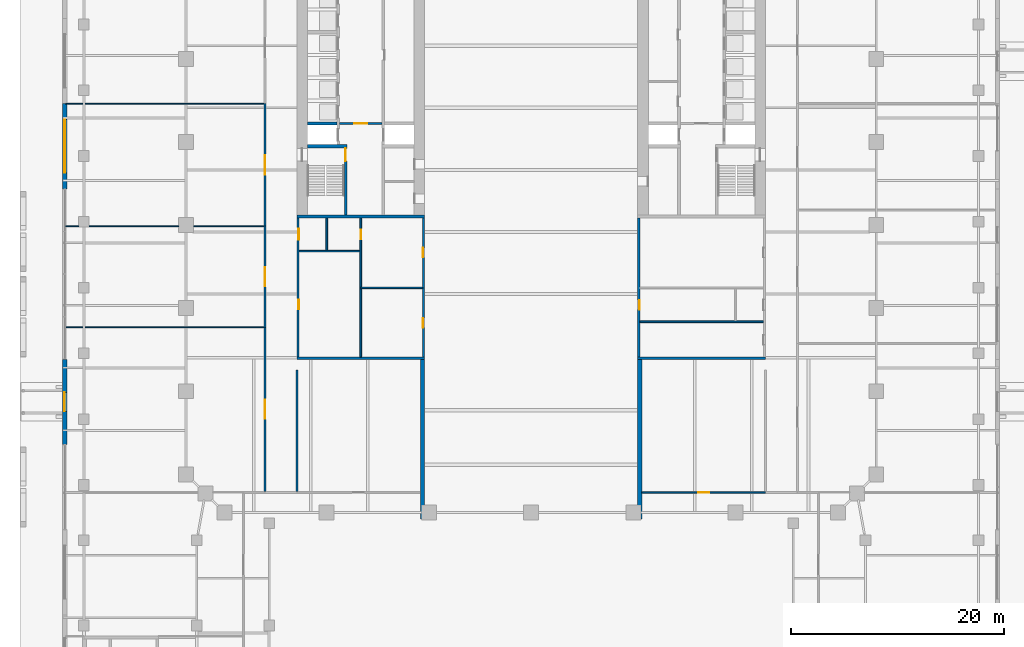
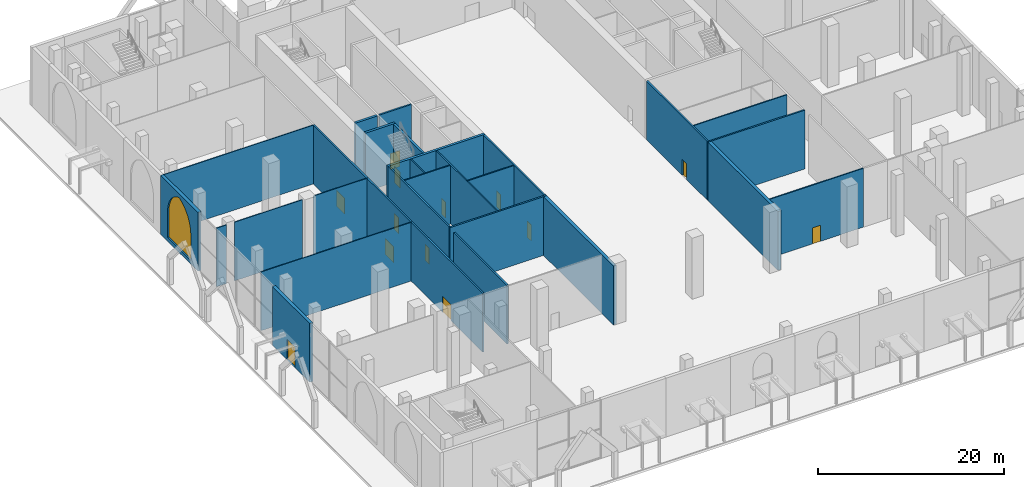
# One storey, part 28 of 38: 29 walls, 13 doors, 1 window, 14 openings.
"""IFC4 building model written with IfcOpenShell, lengths in metres."""

from ifc_helpers import new_model, si_unit, direction, frame, frame_2d, origin, place, context, subcontext, project, spatial, polyline, rectangle, outline, extrude, material, layer, layer_set, type_object, element, fill, save


model = new_model("IFC4")

# Units and contexts
model_context = context("Model", 3, precision=1e-05, world=origin(), true_north=direction((0.0, 1.0)))
body_context = subcontext(model_context, "Body", "Model", "MODEL_VIEW")
ifc_project = project(units=[si_unit("LENGTHUNIT", "METRE"), si_unit("AREAUNIT", "SQUARE_METRE"), si_unit("VOLUMEUNIT", "CUBIC_METRE"), si_unit("PLANEANGLEUNIT", "RADIAN"), si_unit("MASSUNIT", "GRAM", prefix="KILO")], contexts=[model_context])

# Site, building, storey
site_placement = place(None, origin())
site = spatial("IfcSite", under=ifc_project, at=site_placement, CompositionType="ELEMENT")
building_placement = place(site_placement, origin())
building = spatial("IfcBuilding", under=site, at=building_placement, Name="Ogive Exchange Tower", CompositionType="ELEMENT")
storey_placement = place(building_placement, origin())
storey = spatial("IfcBuildingStorey", under=building, at=storey_placement, Name="L00", CompositionType="ELEMENT", Elevation=0.0)

# Walls
ifc_material_1 = material(Name="Concrete C70/85", Category="concrete")
ifc_layer_1 = layer(ifc_material_1, 0.39990234375)
ifc_layer_set_1 = layer_set([ifc_layer_1], Name="Concrete C70/85 spine wall 400")
wall_type_1 = type_object("IfcWallType", Name="Concrete C70/85 spine wall 400", PredefinedType="SHEAR", material=ifc_layer_set_1)
for number, where, z_axis, x_axis, name in (
    (1, (-10.199951171875, -31.0, 0.0), (0.0, 0.0, 1.0), (0.0, 1.0, 0.0), "Spine wall SW"),
    (2, (10.199951171875, -31.0, 0.0), (0.0, 0.0, 1.0), (0.0, 1.0, 0.0), "Spine wall SE"),
):
    element("IfcWall", number, at=place(storey_placement, frame(where, z_axis=z_axis, x_axis=x_axis)), inside=storey, type_object=wall_type_1, Name=name, PredefinedType="SHEAR", context=body_context, shape_type="SweptSolid", body=[
        extrude(rectangle(XDim=15.0, YDim=0.39990234375, at=frame_2d((7.5, 0.0))), origin(), (0.0, 0.0, 1.0), 7.699951171875),
    ])

# Wall, opening, door
ifc_material_2 = material(Name="Gypsum board partition")
ifc_layer_2 = layer(ifc_material_2, 0.14990234375)
ifc_layer_set_2 = layer_set([ifc_layer_2], Name="Core room partition 150 gypsum")
wall_type_2 = type_object("IfcWallType", Name="Core room partition 150 gypsum", PredefinedType="PARTITIONING", material=ifc_layer_set_2)
wall_1_placement = place(storey_placement, frame((-16.0, -15.800048828125, 0.0), z_axis=(0.0, 0.0, 1.0), x_axis=(0.0, 1.0, 0.0)))
wall_1 = element("IfcWall", 3, at=wall_1_placement, inside=storey, type_object=wall_type_2, Name="W annex S column wall", PredefinedType="PARTITIONING", context=body_context, shape_type="SweptSolid", body=[
    extrude(rectangle(XDim=13.050048828125, YDim=0.14990234375, at=frame_2d((6.52490234375, 0.0))), origin(), (0.0, 0.0, 1.0), 7.699951171875),
])
opening_1_placement = place(wall_1_placement, frame((11.08740234375, 0.0, 0.0)))
opening_1 = element("IfcOpeningElement", 4, at=opening_1_placement, cuts=wall_1, Name="Opening L00-C20", PredefinedType="OPENING", context=body_context, shape_type="SweptSolid", body=[
    extrude(rectangle(XDim=0.89990234375, YDim=2.10009765625, at=frame_2d((0.449951171875, 1.050048828125))), frame((0.0, 0.0849609375, 0.0), z_axis=(0.0, -1.0, 0.0), x_axis=(1.0, 0.0, 0.0)), (0.0, 0.0, 1.0), 0.169921875),
])
ifc_material_3 = material(Name="Steel fire door", Category="steel")
door_type_1 = type_object("IfcDoorType", Name="Riser door FD60 900 x 2100", OperationType="NOTDEFINED", PredefinedType="DOOR", material=ifc_material_3)
door_1_placement = place(opening_1_placement, frame((0.89990234375, 0.0, 0.0), z_axis=(0.0, 0.0, 1.0), x_axis=(-1.0, 0.0, 0.0)))
door_1 = element("IfcDoor", 5, at=door_1_placement, inside=storey, type_object=door_type_1, Name="Riser door", ObjectType="CD2", OperationType="SINGLE_SWING_RIGHT", OverallHeight=2.10009765625, OverallWidth=0.89990234375, PredefinedType="DOOR", context=body_context, shape_type="SweptSolid", body=[
    extrude(rectangle(XDim=0.89990234375, YDim=2.10009765625, at=frame_2d((0.449951171875, 1.050048828125))), frame((0.0, 0.02490234375, 0.0), z_axis=(0.0, -1.0, 0.0), x_axis=(1.0, 0.0, 0.0)), (0.0, 0.0, 1.0), 0.050048828125),
])
fill(opening_1, door_1)

# Walls
wall_2_placement = place(storey_placement, frame((-16.0, -9.300048828125, 0.0), z_axis=(0.0, 0.0, 1.0), x_axis=(1.0, 0.0, 0.0)))
element("IfcWall", 6, at=wall_2_placement, inside=storey, type_object=wall_type_2, Name="W annex S cross wall", PredefinedType="PARTITIONING", context=body_context, shape_type="SweptSolid", body=[
    extrude(rectangle(XDim=5.800048828125, YDim=0.14990234375, at=frame_2d((2.89990234375, 0.0))), origin(), (0.0, 0.0, 1.0), 7.699951171875),
])
wall_3_placement = place(storey_placement, frame((-21.800048828125, -5.85009765625, 0.0), z_axis=(0.0, 0.0, 1.0), x_axis=(1.0, 0.0, 0.0)))
element("IfcWall", 7, at=wall_3_placement, inside=storey, type_object=wall_type_2, Name="W annex S wc strip wall 00", PredefinedType="PARTITIONING", context=body_context, shape_type="SweptSolid", body=[
    extrude(rectangle(XDim=5.72509765625, YDim=0.14990234375, at=frame_2d((2.862548828125, 0.0))), origin(), (0.0, 0.0, 1.0), 7.699951171875),
])
wall_4_placement = place(storey_placement, frame((-19.199951171875, -5.77490234375, 0.0), z_axis=(0.0, 0.0, 1.0), x_axis=(0.0, 1.0, 0.0)))
element("IfcWall", 8, at=wall_4_placement, inside=storey, type_object=wall_type_2, Name="W annex S wc partition 00", PredefinedType="PARTITIONING", context=body_context, shape_type="SweptSolid", body=[
    extrude(rectangle(XDim=3.02490234375, YDim=0.14990234375, at=frame_2d((1.512451171875, 0.0))), origin(), (0.0, 0.0, 1.0), 7.699951171875),
])
wall_5_placement = place(storey_placement, frame((10.199951171875, -12.47509765625, 0.0), z_axis=(0.0, 0.0, 1.0), x_axis=(1.0, 0.0, 0.0)))
element("IfcWall", 9, at=wall_5_placement, inside=storey, type_object=wall_type_2, Name="E annex S wc strip wall 00", PredefinedType="PARTITIONING", context=body_context, shape_type="SweptSolid", body=[
    extrude(rectangle(XDim=11.60009765625, YDim=0.14990234375, at=frame_2d((5.800048828125, 0.0))), origin(), (0.0, 0.0, 1.0), 7.699951171875),
])

# Wall, opening, door
ifc_material_4 = material(Name="Fire partition EI 60 150")
ifc_layer_3 = layer(ifc_material_4, 0.14990234375)
ifc_layer_set_3 = layer_set([ifc_layer_3], Name="Fire partition EI 60 150")
wall_type_3 = type_object("IfcWallType", Name="Fire partition EI 60 150", PredefinedType="PARTITIONING", material=ifc_layer_set_3)
wall_6_placement = place(storey_placement, frame((10.39990234375, -28.5, 0.0), z_axis=(0.0, 0.0, 1.0), x_axis=(1.0, 0.0, 0.0)))
wall_6 = element("IfcWall", 10, at=wall_6_placement, inside=storey, type_object=wall_type_3, Name="L00-PWL-010", PredefinedType="PARTITIONING", context=body_context, shape_type="SweptSolid", body=[
    extrude(rectangle(XDim=11.60009765625, YDim=0.14990234375, at=frame_2d((5.800048828125, 0.0))), origin(), (0.0, 0.0, 1.0), 7.699951171875),
])
opening_2_placement = place(wall_6_placement, frame((5.300048828125, 0.0, 0.0)))
opening_2 = element("IfcOpeningElement", 11, at=opening_2_placement, cuts=wall_6, Name="Opening L00-I18", PredefinedType="OPENING", context=body_context, shape_type="SweptSolid", body=[
    extrude(rectangle(XDim=1.0, YDim=2.10009765625, at=frame_2d((0.5, 1.050048828125))), frame((0.0, 0.0849609375, 0.0), z_axis=(0.0, -1.0, 0.0), x_axis=(1.0, 0.0, 0.0)), (0.0, 0.0, 1.0), 0.169921875),
])
ifc_material_5 = material(Name="Fire door FD 30S 1000 x 2100")
door_type_2 = type_object("IfcDoorType", Name="Fire door FD 30S 1000 x 2100", OperationType="NOTDEFINED", PredefinedType="DOOR", material=ifc_material_5)
door_2_placement = place(opening_2_placement, origin())
door_2 = element("IfcDoor", 12, at=door_2_placement, inside=storey, type_object=door_type_2, Name="L00-IDR-018", ObjectType="DT3", OperationType="SINGLE_SWING_RIGHT", OverallHeight=2.10009765625, OverallWidth=1.0, PredefinedType="DOOR", context=body_context, shape_type="SweptSolid", body=[
    extrude(rectangle(XDim=1.0, YDim=2.10009765625, at=frame_2d((0.5, 1.050048828125))), frame((0.0, 0.02490234375, 0.0), z_axis=(0.0, -1.0, 0.0), x_axis=(1.0, 0.0, 0.0)), (0.0, 0.0, 1.0), 0.050048828125),
])
fill(opening_2, door_2)

# Wall, opening, window
ifc_material_6 = material(Name="Precast concrete C40/50", Category="concrete")
ifc_layer_4 = layer(ifc_material_6, 0.39990234375)
ifc_layer_set_4 = layer_set([ifc_layer_4], Name="Limestone-faced wall 400")
wall_type_4 = type_object("IfcWallType", Name="Limestone-faced wall 400", PredefinedType="STANDARD", material=ifc_layer_set_4)
wall_7_placement = place(storey_placement, frame((-43.800048828125, 8.0, 0.0), z_axis=(0.0, 0.0, 1.0), x_axis=(0.0, -1.0, 0.0)))
wall_7 = element("IfcWall", 13, at=wall_7_placement, inside=storey, type_object=wall_type_4, Name="Podium wall W5", PredefinedType="STANDARD", context=body_context, shape_type="SweptSolid", body=[
    extrude(rectangle(XDim=8.0, YDim=0.39990234375, at=frame_2d((4.0, 0.0))), origin(), (0.0, 0.0, 1.0), 7.699951171875),
])
opening_3_placement = place(wall_7_placement, frame((1.5, 0.0, 0.5)))
opening_3 = element("IfcOpeningElement", 14, at=opening_3_placement, cuts=wall_7, Name="Opening WA500", PredefinedType="OPENING", context=body_context, shape_type="SweptSolid", body=[
    extrude(outline(polyline([(0.0, 0.0), (5.0, 0.0), (5.0, 3.349853515625), (4.955322265625, 3.907470703125), (4.822021484375, 4.450927734375), (4.603759765625, 4.966064453125), (4.30615234375, 5.43994140625), (3.936767578125, 5.860107421875), (3.5048828125, 6.2158203125), (3.02197265625, 6.498291015625), (2.5, 6.699951171875), (1.97802734375, 6.498291015625), (1.4951171875, 6.2158203125), (1.063232421875, 5.860107421875), (0.69384765625, 5.43994140625), (0.396240234375, 4.966064453125), (0.177978515625, 4.450927734375), (0.044677734375, 3.907470703125), (0.0, 3.349853515625), (0.0, 0.0)])), frame((0.0, 0.2099609375, 0.0), z_axis=(0.0, -1.0, 0.0), x_axis=(1.0, 0.0, 0.0)), (0.0, 0.0, 1.0), 0.419921875),
])
ifc_material_7 = material(Name="Clear glass in bronze frame", Category="glass")
window_type = type_object("IfcWindowType", Name="Arcade lancet 5000 x 6700", PartitioningType="DOUBLE_PANEL_VERTICAL", PredefinedType="WINDOW", material=ifc_material_7)
window_placement = place(opening_3_placement, origin())
window = element("IfcWindow", 15, at=window_placement, inside=storey, type_object=window_type, Name="Arcade lancet W5", OverallHeight=6.699951171875, OverallWidth=5.0, PartitioningType="DOUBLE_PANEL_VERTICAL", PredefinedType="WINDOW", context=body_context, shape_type="SweptSolid", body=[
    extrude(outline(polyline([(0.0, 0.0), (5.0, 0.0), (5.0, 3.349853515625), (4.955322265625, 3.907470703125), (4.822021484375, 4.450927734375), (4.603759765625, 4.966064453125), (4.30615234375, 5.43994140625), (3.936767578125, 5.860107421875), (3.5048828125, 6.2158203125), (3.02197265625, 6.498291015625), (2.5, 6.699951171875), (1.97802734375, 6.498291015625), (1.4951171875, 6.2158203125), (1.063232421875, 5.860107421875), (0.69384765625, 5.43994140625), (0.396240234375, 4.966064453125), (0.177978515625, 4.450927734375), (0.044677734375, 3.907470703125), (0.0, 3.349853515625), (0.0, 0.0)])), frame((0.0, 0.030029296875, 0.0), z_axis=(0.0, -1.0, 0.0), x_axis=(1.0, 0.0, 0.0)), (0.0, 0.0, 1.0), 0.06005859375),
])
fill(opening_3, window)

# Wall, opening, door
wall_8_placement = place(storey_placement, frame((-43.800048828125, -16.0, 0.0), z_axis=(0.0, 0.0, 1.0), x_axis=(0.0, -1.0, 0.0)))
wall_8 = element("IfcWall", 16, at=wall_8_placement, inside=storey, type_object=wall_type_4, Name="Podium wall W8", PredefinedType="STANDARD", context=body_context, shape_type="SweptSolid", body=[
    extrude(rectangle(XDim=8.0, YDim=0.39990234375, at=frame_2d((4.0, 0.0))), origin(), (0.0, 0.0, 1.0), 7.699951171875),
])
opening_4_placement = place(wall_8_placement, frame((3.10009765625, 0.0, 0.0)))
opening_4 = element("IfcOpeningElement", 17, at=opening_4_placement, cuts=wall_8, Name="Opening L00-E19", PredefinedType="OPENING", context=body_context, shape_type="SweptSolid", body=[
    extrude(rectangle(XDim=1.800048828125, YDim=2.699951171875, at=frame_2d((0.89990234375, 1.35009765625))), frame((0.0, 0.2099609375, 0.0), z_axis=(0.0, -1.0, 0.0), x_axis=(1.0, 0.0, 0.0)), (0.0, 0.0, 1.0), 0.419921875),
])
ifc_material_8 = material(Name="Steel and glass", Category="steel")
door_type_3 = type_object("IfcDoorType", Name="Exit door 1800 x 2700", OperationType="DOUBLE_DOOR_SINGLE_SWING", PredefinedType="DOOR", material=ifc_material_8)
door_3_placement = place(opening_4_placement, frame((1.800048828125, 0.0, 0.0), z_axis=(0.0, 0.0, 1.0), x_axis=(-1.0, 0.0, 0.0)))
door_3 = element("IfcDoor", 18, at=door_3_placement, inside=storey, type_object=door_type_3, Name="Exit door X16", ObjectType="XD1", OperationType="DOUBLE_DOOR_SINGLE_SWING", OverallHeight=2.699951171875, OverallWidth=1.800048828125, PredefinedType="DOOR", context=body_context, shape_type="SweptSolid", body=[
    extrude(rectangle(XDim=1.800048828125, YDim=2.699951171875, at=frame_2d((0.89990234375, 1.35009765625))), frame((0.0, 0.02490234375, 0.0), z_axis=(0.0, -1.0, 0.0), x_axis=(1.0, 0.0, 0.0)), (0.0, 0.0, 1.0), 0.050048828125),
])
fill(opening_4, door_3)

# Walls
ifc_material_9 = material(Name="Partition 100 gypsum")
ifc_layer_5 = layer(ifc_material_9, 0.10009765625)
ifc_layer_set_5 = layer_set([ifc_layer_5], Name="Partition 100 gypsum")
wall_type_5 = type_object("IfcWallType", Name="Partition 100 gypsum", PredefinedType="PARTITIONING", material=ifc_layer_set_5)
wall_9_placement = place(storey_placement, frame((-43.719970703125, -13.0, 0.0), z_axis=(0.0, 0.0, 1.0), x_axis=(1.0, 0.0, 0.0)))
element("IfcWall", 19, at=wall_9_placement, inside=storey, type_object=wall_type_5, Name="L00-PWL-016", PredefinedType="PARTITIONING", context=body_context, shape_type="SweptSolid", body=[
    extrude(rectangle(XDim=18.619873046875, YDim=0.10009765625, at=frame_2d((9.31005859375, 0.0))), origin(), (0.0, 0.0, 1.0), 7.699951171875),
])
wall_10_placement = place(storey_placement, frame((-43.719970703125, -3.5, 0.0), z_axis=(0.0, 0.0, 1.0), x_axis=(1.0, 0.0, 0.0)))
element("IfcWall", 20, at=wall_10_placement, inside=storey, type_object=wall_type_5, Name="L00-PWL-017", PredefinedType="PARTITIONING", context=body_context, shape_type="SweptSolid", body=[
    extrude(rectangle(XDim=1.219970703125, YDim=0.10009765625, at=frame_2d((0.60986328125, 0.0))), origin(), (0.0, 0.0, 1.0), 7.699951171875),
])
wall_11_placement = place(storey_placement, frame((-41.5, -3.5, 0.0), z_axis=(0.0, 0.0, 1.0), x_axis=(1.0, 0.0, 0.0)))
element("IfcWall", 21, at=wall_11_placement, inside=storey, type_object=wall_type_5, Name="L00-PWL-018", PredefinedType="PARTITIONING", context=body_context, shape_type="SweptSolid", body=[
    extrude(rectangle(XDim=8.39990234375, YDim=0.10009765625, at=frame_2d((4.199951171875, 0.0))), origin(), (0.0, 0.0, 1.0), 7.699951171875),
])
wall_12_placement = place(storey_placement, frame((-31.699951171875, -3.5, 0.0), z_axis=(0.0, 0.0, 1.0), x_axis=(1.0, 0.0, 0.0)))
element("IfcWall", 22, at=wall_12_placement, inside=storey, type_object=wall_type_5, Name="L00-PWL-019", PredefinedType="PARTITIONING", context=body_context, shape_type="SweptSolid", body=[
    extrude(rectangle(XDim=6.599853515625, YDim=0.10009765625, at=frame_2d((3.2998046875, 0.0))), origin(), (0.0, 0.0, 1.0), 7.699951171875),
])
wall_13_placement = place(storey_placement, frame((-43.719970703125, 8.0, 0.0), z_axis=(0.0, 0.0, 1.0), x_axis=(1.0, 0.0, 0.0)))
element("IfcWall", 23, at=wall_13_placement, inside=storey, type_object=wall_type_5, Name="L00-PWL-021", PredefinedType="PARTITIONING", context=body_context, shape_type="SweptSolid", body=[
    extrude(rectangle(XDim=18.619873046875, YDim=0.10009765625, at=frame_2d((9.31005859375, 0.0))), origin(), (0.0, 0.0, 1.0), 7.699951171875),
])

# Wall, opening, door
ifc_layer_6 = layer(ifc_material_1, 0.199951171875)
ifc_layer_set_6 = layer_set([ifc_layer_6], Name="RC core wall 200 C70/85")
wall_type_6 = type_object("IfcWallType", Name="RC core wall 200 C70/85", PredefinedType="SHEAR", material=ifc_layer_set_6)
wall_14_placement = place(storey_placement, frame((-18.0, 6.142822265625, 0.0), z_axis=(0.0, 0.0, 1.0), x_axis=(1.0, 0.0, 0.0)))
wall_14 = element("IfcWall", 24, at=wall_14_placement, inside=storey, type_object=wall_type_6, Name="W firefighting lobby wall", PredefinedType="SHEAR", context=body_context, shape_type="SweptSolid", body=[
    extrude(rectangle(XDim=4.0, YDim=0.199951171875, at=frame_2d((2.0, 0.0))), origin(), (0.0, 0.0, 1.0), 7.699951171875),
])
opening_5_placement = place(wall_14_placement, frame((1.39990234375, 0.0, 0.0)))
opening_5 = element("IfcOpeningElement", 25, at=opening_5_placement, cuts=wall_14, Name="Opening L00-C10", PredefinedType="OPENING", context=body_context, shape_type="SweptSolid", body=[
    extrude(rectangle(XDim=1.199951171875, YDim=2.10009765625, at=frame_2d((0.60009765625, 1.050048828125))), frame((0.0, 0.10986328125, 0.0), z_axis=(0.0, -1.0, 0.0), x_axis=(1.0, 0.0, 0.0)), (0.0, 0.0, 1.0), 0.219970703125),
])
door_type_4 = type_object("IfcDoorType", Name="Firefighting lobby door FD60 1200 x 2100", OperationType="NOTDEFINED", PredefinedType="DOOR", material=ifc_material_3)
door_4_placement = place(opening_5_placement, frame((1.199951171875, 0.0, 0.0), z_axis=(0.0, 0.0, 1.0), x_axis=(-1.0, 0.0, 0.0)))
door_4 = element("IfcDoor", 26, at=door_4_placement, inside=storey, type_object=door_type_4, Name="Firefighting lobby door", ObjectType="CD3", OperationType="SINGLE_SWING_LEFT", OverallHeight=2.10009765625, OverallWidth=1.199951171875, PredefinedType="DOOR", context=body_context, shape_type="SweptSolid", body=[
    extrude(rectangle(XDim=1.199951171875, YDim=2.10009765625, at=frame_2d((0.60009765625, 1.050048828125))), frame((0.0, 0.02490234375, 0.0), z_axis=(0.0, -1.0, 0.0), x_axis=(1.0, 0.0, 0.0)), (0.0, 0.0, 1.0), 0.050048828125),
])
fill(opening_5, door_4)

# Wall, openings, doors
wall_15_placement = place(storey_placement, frame((-21.89990234375, -15.800048828125, 0.0), z_axis=(0.0, 0.0, 1.0), x_axis=(0.0, 1.0, 0.0)))
wall_15 = element("IfcWall", 27, at=wall_15_placement, inside=storey, type_object=wall_type_6, Name="W annex S outer wall", PredefinedType="SHEAR", context=body_context, shape_type="SweptSolid", body=[
    extrude(rectangle(XDim=13.050048828125, YDim=0.199951171875, at=frame_2d((6.52490234375, 0.0))), origin(), (0.0, 0.0, 1.0), 7.699951171875),
])
opening_6_placement = place(wall_15_placement, frame((4.487548828125, 0.0, 0.0)))
opening_6 = element("IfcOpeningElement", 28, at=opening_6_placement, cuts=wall_15, Name="Opening L00-C18", PredefinedType="OPENING", context=body_context, shape_type="SweptSolid", body=[
    extrude(rectangle(XDim=0.89990234375, YDim=2.10009765625, at=frame_2d((0.449951171875, 1.050048828125))), frame((0.0, 0.10986328125, 0.0), z_axis=(0.0, -1.0, 0.0), x_axis=(1.0, 0.0, 0.0)), (0.0, 0.0, 1.0), 0.219970703125),
])
opening_7_placement = place(wall_15_placement, frame((11.03759765625, 0.0, 0.0)))
opening_7 = element("IfcOpeningElement", 29, at=opening_7_placement, cuts=wall_15, Name="Opening L00-C19", PredefinedType="OPENING", context=body_context, shape_type="SweptSolid", body=[
    extrude(rectangle(XDim=1.0, YDim=2.10009765625, at=frame_2d((0.5, 1.050048828125))), frame((0.0, 0.10986328125, 0.0), z_axis=(0.0, -1.0, 0.0), x_axis=(1.0, 0.0, 0.0)), (0.0, 0.0, 1.0), 0.219970703125),
])
ifc_material_10 = material(Name="Timber fire door", Category="wood")
door_type_5 = type_object("IfcDoorType", Name="Accessible WC door FD30S 1000 x 2100", OperationType="NOTDEFINED", PredefinedType="DOOR", material=ifc_material_10)
door_5_placement = place(opening_7_placement, frame((1.0, -0.14990234375, 0.0), z_axis=(0.0, 0.0, 1.0), x_axis=(-1.0, 0.0, 0.0)))
door_5 = element("IfcDoor", 30, at=door_5_placement, inside=storey, type_object=door_type_5, Name="Accessible WC door", ObjectType="CD7", OperationType="SINGLE_SWING_LEFT", OverallHeight=2.10009765625, OverallWidth=1.0, PredefinedType="DOOR", context=body_context, shape_type="SweptSolid", body=[
    extrude(rectangle(XDim=1.0, YDim=2.10009765625, at=frame_2d((0.5, 1.050048828125))), frame((0.0, -0.0498046875, 0.0), z_axis=(0.0, -1.0, 0.0), x_axis=(1.0, 0.0, 0.0)), (0.0, 0.0, 1.0), 0.050048828125),
])
fill(opening_7, door_5)
door_6_placement = place(opening_6_placement, frame((0.89990234375, -0.14990234375, 0.0), z_axis=(0.0, 0.0, 1.0), x_axis=(-1.0, 0.0, 0.0)))
door_6 = element("IfcDoor", 31, at=door_6_placement, inside=storey, type_object=door_type_1, Name="Riser door", ObjectType="CD2", OperationType="SINGLE_SWING_LEFT", OverallHeight=2.10009765625, OverallWidth=0.89990234375, PredefinedType="DOOR", context=body_context, shape_type="SweptSolid", body=[
    extrude(rectangle(XDim=0.89990234375, YDim=2.10009765625, at=frame_2d((0.449951171875, 1.050048828125))), frame((0.0, -0.0498046875, 0.0), z_axis=(0.0, -1.0, 0.0), x_axis=(1.0, 0.0, 0.0)), (0.0, 0.0, 1.0), 0.050048828125),
])
fill(opening_6, door_6)

wall_16_placement = place(storey_placement, frame((-10.10009765625, -15.800048828125, 0.0), z_axis=(0.0, 0.0, 1.0), x_axis=(0.0, 1.0, 0.0)))
wall_16 = element("IfcWall", 32, at=wall_16_placement, inside=storey, type_object=wall_type_6, Name="W annex S inner wall", PredefinedType="SHEAR", context=body_context, shape_type="SweptSolid", body=[
    extrude(rectangle(XDim=13.050048828125, YDim=0.199951171875, at=frame_2d((6.52490234375, 0.0))), origin(), (0.0, 0.0, 1.0), 7.699951171875),
])
opening_8_placement = place(wall_16_placement, frame((2.762451171875, 0.0, 0.0)))
opening_8 = element("IfcOpeningElement", 33, at=opening_8_placement, cuts=wall_16, Name="Opening L00-C21", PredefinedType="OPENING", context=body_context, shape_type="SweptSolid", body=[
    extrude(rectangle(XDim=0.89990234375, YDim=2.10009765625, at=frame_2d((0.449951171875, 1.050048828125))), frame((0.0, 0.10986328125, 0.0), z_axis=(0.0, -1.0, 0.0), x_axis=(1.0, 0.0, 0.0)), (0.0, 0.0, 1.0), 0.219970703125),
])
opening_9_placement = place(wall_16_placement, frame((9.362548828125, 0.0, 0.0)))
opening_9 = element("IfcOpeningElement", 34, at=opening_9_placement, cuts=wall_16, Name="Opening L00-C22", PredefinedType="OPENING", context=body_context, shape_type="SweptSolid", body=[
    extrude(rectangle(XDim=0.89990234375, YDim=2.10009765625, at=frame_2d((0.449951171875, 1.050048828125))), frame((0.0, 0.10986328125, 0.0), z_axis=(0.0, -1.0, 0.0), x_axis=(1.0, 0.0, 0.0)), (0.0, 0.0, 1.0), 0.219970703125),
])
door_type_6 = type_object("IfcDoorType", Name="Core room door FD30S 900 x 2100", OperationType="NOTDEFINED", PredefinedType="DOOR", material=ifc_material_10)
door_7_placement = place(opening_9_placement, origin())
door_7 = element("IfcDoor", 35, at=door_7_placement, inside=storey, type_object=door_type_6, Name="Core room door", ObjectType="CD6", OperationType="SINGLE_SWING_LEFT", OverallHeight=2.10009765625, OverallWidth=0.89990234375, PredefinedType="DOOR", context=body_context, shape_type="SweptSolid", body=[
    extrude(rectangle(XDim=0.89990234375, YDim=2.10009765625, at=frame_2d((0.449951171875, 1.050048828125))), frame((0.0, 0.10009765625, 0.0), z_axis=(0.0, -1.0, 0.0), x_axis=(1.0, 0.0, 0.0)), (0.0, 0.0, 1.0), 0.050048828125),
])
fill(opening_9, door_7)
door_8_placement = place(opening_8_placement, origin())
door_8 = element("IfcDoor", 36, at=door_8_placement, inside=storey, type_object=door_type_1, Name="Riser door", ObjectType="CD2", OperationType="SINGLE_SWING_LEFT", OverallHeight=2.10009765625, OverallWidth=0.89990234375, PredefinedType="DOOR", context=body_context, shape_type="SweptSolid", body=[
    extrude(rectangle(XDim=0.89990234375, YDim=2.10009765625, at=frame_2d((0.449951171875, 1.050048828125))), frame((0.0, 0.10009765625, 0.0), z_axis=(0.0, -1.0, 0.0), x_axis=(1.0, 0.0, 0.0)), (0.0, 0.0, 1.0), 0.050048828125),
])
fill(opening_8, door_8)

# Wall
wall_17_placement = place(storey_placement, frame((-22.0, -15.89990234375, 0.0), z_axis=(0.0, 0.0, 1.0), x_axis=(1.0, 0.0, 0.0)))
element("IfcWall", 37, at=wall_17_placement, inside=storey, type_object=wall_type_6, Name="W annex S end wall", PredefinedType="SHEAR", context=body_context, shape_type="SweptSolid", body=[
    extrude(rectangle(XDim=12.0, YDim=0.199951171875, at=frame_2d((6.0, 0.0))), origin(), (0.0, 0.0, 1.0), 7.699951171875),
])

# Wall, opening, door
wall_18_placement = place(storey_placement, frame((10.10009765625, -15.800048828125, 0.0), z_axis=(0.0, 0.0, 1.0), x_axis=(0.0, 1.0, 0.0)))
wall_18 = element("IfcWall", 38, at=wall_18_placement, inside=storey, type_object=wall_type_6, Name="E annex S inner wall", PredefinedType="SHEAR", context=body_context, shape_type="SweptSolid", body=[
    extrude(rectangle(XDim=13.050048828125, YDim=0.199951171875, at=frame_2d((6.52490234375, 0.0))), origin(), (0.0, 0.0, 1.0), 7.699951171875),
])
opening_10_placement = place(wall_18_placement, frame((4.46240234375, 0.0, 0.0)))
opening_10 = element("IfcOpeningElement", 39, at=opening_10_placement, cuts=wall_18, Name="Opening L00-C42", PredefinedType="OPENING", context=body_context, shape_type="SweptSolid", body=[
    extrude(rectangle(XDim=0.89990234375, YDim=2.10009765625, at=frame_2d((0.449951171875, 1.050048828125))), frame((0.0, 0.10986328125, 0.0), z_axis=(0.0, -1.0, 0.0), x_axis=(1.0, 0.0, 0.0)), (0.0, 0.0, 1.0), 0.219970703125),
])
door_9_placement = place(opening_10_placement, frame((0.89990234375, -0.14990234375, 0.0), z_axis=(0.0, 0.0, 1.0), x_axis=(-1.0, 0.0, 0.0)))
door_9 = element("IfcDoor", 40, at=door_9_placement, inside=storey, type_object=door_type_6, Name="Core room door", ObjectType="CD6", OperationType="SINGLE_SWING_RIGHT", OverallHeight=2.10009765625, OverallWidth=0.89990234375, PredefinedType="DOOR", context=body_context, shape_type="SweptSolid", body=[
    extrude(rectangle(XDim=0.89990234375, YDim=2.10009765625, at=frame_2d((0.449951171875, 1.050048828125))), frame((0.0, -0.0498046875, 0.0), z_axis=(0.0, -1.0, 0.0), x_axis=(1.0, 0.0, 0.0)), (0.0, 0.0, 1.0), 0.050048828125),
])
fill(opening_10, door_9)

# Wall
wall_19_placement = place(storey_placement, frame((10.0, -15.89990234375, 0.0), z_axis=(0.0, 0.0, 1.0), x_axis=(1.0, 0.0, 0.0)))
element("IfcWall", 41, at=wall_19_placement, inside=storey, type_object=wall_type_6, Name="E annex S end wall", PredefinedType="SHEAR", context=body_context, shape_type="SweptSolid", body=[
    extrude(rectangle(XDim=12.0, YDim=0.199951171875, at=frame_2d((6.0, 0.0))), origin(), (0.0, 0.0, 1.0), 7.699951171875),
])

# Wall, opening, door
ifc_layer_7 = layer(ifc_material_1, 0.25)
ifc_layer_set_7 = layer_set([ifc_layer_7], Name="RC core wall 250 C70/85")
wall_type_7 = type_object("IfcWallType", Name="RC core wall 250 C70/85", PredefinedType="SHEAR", material=ifc_layer_set_7)
wall_20_placement = place(storey_placement, frame((-17.425048828125, -2.449951171875, 0.0), z_axis=(0.0, 0.0, 1.0), x_axis=(0.0, 1.0, 0.0)))
wall_20 = element("IfcWall", 42, at=wall_20_placement, inside=storey, type_object=wall_type_7, Name="W stair S front wall", PredefinedType="SHEAR", context=body_context, shape_type="SweptSolid", body=[
    extrude(rectangle(XDim=6.300048828125, YDim=0.25, at=frame_2d((3.14990234375, 0.0))), origin(), (0.0, 0.0, 1.0), 7.699951171875),
])
opening_11_placement = place(wall_20_placement, frame((5.050048828125, 0.0, 0.0)))
opening_11 = element("IfcOpeningElement", 43, at=opening_11_placement, cuts=wall_20, Name="Opening L00-C12", PredefinedType="OPENING", context=body_context, shape_type="SweptSolid", body=[
    extrude(rectangle(XDim=1.199951171875, YDim=2.10009765625, at=frame_2d((0.60009765625, 1.050048828125))), frame((0.0, 0.135009765625, 0.0), z_axis=(0.0, -1.0, 0.0), x_axis=(1.0, 0.0, 0.0)), (0.0, 0.0, 1.0), 0.27001953125),
])
door_type_7 = type_object("IfcDoorType", Name="Stair door FD90 1200 x 2100", OperationType="NOTDEFINED", PredefinedType="DOOR", material=ifc_material_3)
door_10_placement = place(opening_11_placement, origin())
door_10 = element("IfcDoor", 44, at=door_10_placement, inside=storey, type_object=door_type_7, Name="Stair door", ObjectType="CD5", OperationType="SINGLE_SWING_LEFT", OverallHeight=2.10009765625, OverallWidth=1.199951171875, PredefinedType="DOOR", context=body_context, shape_type="SweptSolid", body=[
    extrude(rectangle(XDim=1.199951171875, YDim=2.10009765625, at=frame_2d((0.60009765625, 1.050048828125))), frame((0.0, 0.02490234375, 0.0), z_axis=(0.0, -1.0, 0.0), x_axis=(1.0, 0.0, 0.0)), (0.0, 0.0, 1.0), 0.050048828125),
])
fill(opening_11, door_10)

# Walls
ifc_layer_8 = layer(ifc_material_1, 0.300048828125)
ifc_layer_set_8 = layer_set([ifc_layer_8], Name="RC core wall 300 C70/85")
wall_type_8 = type_object("IfcWallType", Name="RC core wall 300 C70/85", PredefinedType="SHEAR", material=ifc_layer_set_8)
wall_21_placement = place(storey_placement, frame((-22.0, -2.60009765625, 0.0), z_axis=(0.0, 0.0, 1.0), x_axis=(1.0, 0.0, 0.0)))
element("IfcWall", 45, at=wall_21_placement, inside=storey, type_object=wall_type_8, Name="W south end wall", PredefinedType="SHEAR", context=body_context, shape_type="SweptSolid", body=[
    extrude(rectangle(XDim=12.0, YDim=0.300048828125, at=frame_2d((6.0, 0.0))), origin(), (0.0, 0.0, 1.0), 7.699951171875),
])
wall_22_placement = place(storey_placement, frame((-21.0, 4.0, 0.0), z_axis=(0.0, 0.0, 1.0), x_axis=(1.0, 0.0, 0.0)))
element("IfcWall", 46, at=wall_22_placement, inside=storey, type_object=wall_type_8, Name="W stair S north wall", PredefinedType="SHEAR", context=body_context, shape_type="SweptSolid", body=[
    extrude(rectangle(XDim=3.699951171875, YDim=0.300048828125, at=frame_2d((1.85009765625, 0.0))), origin(), (0.0, 0.0, 1.0), 7.699951171875),
])
wall_23_placement = place(storey_placement, frame((-21.0, 6.142822265625, 0.0), z_axis=(0.0, 0.0, 1.0), x_axis=(1.0, 0.0, 0.0)))
element("IfcWall", 47, at=wall_23_placement, inside=storey, type_object=wall_type_8, Name="W row A divider 1", PredefinedType="SHEAR", context=body_context, shape_type="SweptSolid", body=[
    extrude(rectangle(XDim=2.75, YDim=0.300048828125, at=frame_2d((1.375, 0.0))), origin(), (0.0, 0.0, 1.0), 7.699951171875),
])

# Wall, opening, door
ifc_material_11 = material(Name="Shaft enclosure EI 120 200")
ifc_layer_9 = layer(ifc_material_11, 0.199951171875)
ifc_layer_set_9 = layer_set([ifc_layer_9], Name="Shaft enclosure EI 120 200")
wall_type_9 = type_object("IfcWallType", Name="Shaft enclosure EI 120 200", PredefinedType="PARTITIONING", material=ifc_layer_set_9)
wall_24_placement = place(storey_placement, frame((-25.0, -28.39990234375, 0.0), z_axis=(0.0, 0.0, 1.0), x_axis=(0.0, 1.0, 0.0)))
wall_24 = element("IfcWall", 48, at=wall_24_placement, inside=storey, type_object=wall_type_9, Name="L00-PWL-032", PredefinedType="PARTITIONING", context=body_context, shape_type="SweptSolid", body=[
    extrude(rectangle(XDim=15.39990234375, YDim=0.199951171875, at=frame_2d((7.699951171875, 0.0))), origin(), (0.0, 0.0, 1.0), 7.699951171875),
])
opening_12_placement = place(wall_24_placement, frame((6.800048828125, 0.0, 0.0)))
opening_12 = element("IfcOpeningElement", 49, at=opening_12_placement, cuts=wall_24, Name="Opening L00-I07", PredefinedType="OPENING", context=body_context, shape_type="SweptSolid", body=[
    extrude(rectangle(XDim=1.800048828125, YDim=2.10009765625, at=frame_2d((0.89990234375, 1.050048828125))), frame((0.0, 0.10986328125, 0.0), z_axis=(0.0, -1.0, 0.0), x_axis=(1.0, 0.0, 0.0)), (0.0, 0.0, 1.0), 0.219970703125),
])
ifc_material_12 = material(Name="Stair door FD 90 1800 x 2100")
door_type_8 = type_object("IfcDoorType", Name="Stair door FD 90 1800 x 2100", OperationType="DOUBLE_DOOR_SINGLE_SWING", PredefinedType="DOOR", material=ifc_material_12)
door_11_placement = place(opening_12_placement, frame((1.800048828125, 0.0, 0.0), z_axis=(0.0, 0.0, 1.0), x_axis=(-1.0, 0.0, 0.0)))
door_11 = element("IfcDoor", 50, at=door_11_placement, inside=storey, type_object=door_type_8, Name="L00-IDR-007", ObjectType="DT8", OperationType="SINGLE_SWING_LEFT", OverallHeight=2.10009765625, OverallWidth=1.800048828125, PredefinedType="DOOR", context=body_context, shape_type="SweptSolid", body=[
    extrude(rectangle(XDim=1.800048828125, YDim=2.10009765625, at=frame_2d((0.89990234375, 1.050048828125))), frame((0.0, 0.02490234375, 0.0), z_axis=(0.0, -1.0, 0.0), x_axis=(1.0, 0.0, 0.0)), (0.0, 0.0, 1.0), 0.050048828125),
])
fill(opening_12, door_11)

wall_25_placement = place(storey_placement, frame((-25.0, -13.0, 0.0), z_axis=(0.0, 0.0, 1.0), x_axis=(0.0, 1.0, 0.0)))
wall_25 = element("IfcWall", 51, at=wall_25_placement, inside=storey, type_object=wall_type_9, Name="L00-PWL-033", PredefinedType="PARTITIONING", context=body_context, shape_type="SweptSolid", body=[
    extrude(rectangle(XDim=9.5, YDim=0.199951171875, at=frame_2d((4.75, 0.0))), origin(), (0.0, 0.0, 1.0), 7.699951171875),
])
opening_13_placement = place(wall_25_placement, frame((3.85009765625, 0.0, 0.0)))
opening_13 = element("IfcOpeningElement", 52, at=opening_13_placement, cuts=wall_25, Name="Opening L00-I08", PredefinedType="OPENING", context=body_context, shape_type="SweptSolid", body=[
    extrude(rectangle(XDim=1.800048828125, YDim=2.10009765625, at=frame_2d((0.89990234375, 1.050048828125))), frame((0.0, 0.10986328125, 0.0), z_axis=(0.0, -1.0, 0.0), x_axis=(1.0, 0.0, 0.0)), (0.0, 0.0, 1.0), 0.219970703125),
])
door_12_placement = place(opening_13_placement, origin())
door_12 = element("IfcDoor", 53, at=door_12_placement, inside=storey, type_object=door_type_8, Name="L00-IDR-008", ObjectType="DT8", OperationType="SINGLE_SWING_LEFT", OverallHeight=2.10009765625, OverallWidth=1.800048828125, PredefinedType="DOOR", context=body_context, shape_type="SweptSolid", body=[
    extrude(rectangle(XDim=1.800048828125, YDim=2.10009765625, at=frame_2d((0.89990234375, 1.050048828125))), frame((0.0, 0.02490234375, 0.0), z_axis=(0.0, -1.0, 0.0), x_axis=(1.0, 0.0, 0.0)), (0.0, 0.0, 1.0), 0.050048828125),
])
fill(opening_13, door_12)

wall_26_placement = place(storey_placement, frame((-25.0, -3.5, 0.0), z_axis=(0.0, 0.0, 1.0), x_axis=(0.0, 1.0, 0.0)))
wall_26 = element("IfcWall", 54, at=wall_26_placement, inside=storey, type_object=wall_type_9, Name="L00-PWL-034", PredefinedType="PARTITIONING", context=body_context, shape_type="SweptSolid", body=[
    extrude(rectangle(XDim=11.5, YDim=0.199951171875, at=frame_2d((5.75, 0.0))), origin(), (0.0, 0.0, 1.0), 7.699951171875),
])
opening_14_placement = place(wall_26_placement, frame((4.85009765625, 0.0, 0.0)))
opening_14 = element("IfcOpeningElement", 55, at=opening_14_placement, cuts=wall_26, Name="Opening L00-I09", PredefinedType="OPENING", context=body_context, shape_type="SweptSolid", body=[
    extrude(rectangle(XDim=1.800048828125, YDim=2.10009765625, at=frame_2d((0.89990234375, 1.050048828125))), frame((0.0, 0.10986328125, 0.0), z_axis=(0.0, -1.0, 0.0), x_axis=(1.0, 0.0, 0.0)), (0.0, 0.0, 1.0), 0.219970703125),
])
door_13_placement = place(opening_14_placement, origin())
door_13 = element("IfcDoor", 56, at=door_13_placement, inside=storey, type_object=door_type_8, Name="L00-IDR-009", ObjectType="DT8", OperationType="SINGLE_SWING_LEFT", OverallHeight=2.10009765625, OverallWidth=1.800048828125, PredefinedType="DOOR", context=body_context, shape_type="SweptSolid", body=[
    extrude(rectangle(XDim=1.800048828125, YDim=2.10009765625, at=frame_2d((0.89990234375, 1.050048828125))), frame((0.0, 0.02490234375, 0.0), z_axis=(0.0, -1.0, 0.0), x_axis=(1.0, 0.0, 0.0)), (0.0, 0.0, 1.0), 0.050048828125),
])
fill(opening_14, door_13)

# Wall
wall_27_placement = place(storey_placement, frame((-22.0, -28.39990234375, 0.0), z_axis=(0.0, 0.0, 1.0), x_axis=(0.0, 1.0, 0.0)))
element("IfcWall", 57, at=wall_27_placement, inside=storey, type_object=wall_type_9, Name="L00-PWL-038", PredefinedType="PARTITIONING", context=body_context, shape_type="SweptSolid", body=[
    extrude(rectangle(XDim=11.39990234375, YDim=0.199951171875, at=frame_2d((5.699951171875, 0.0))), origin(), (0.0, 0.0, 1.0), 7.699951171875),
])

save(model, "model.ifc")
